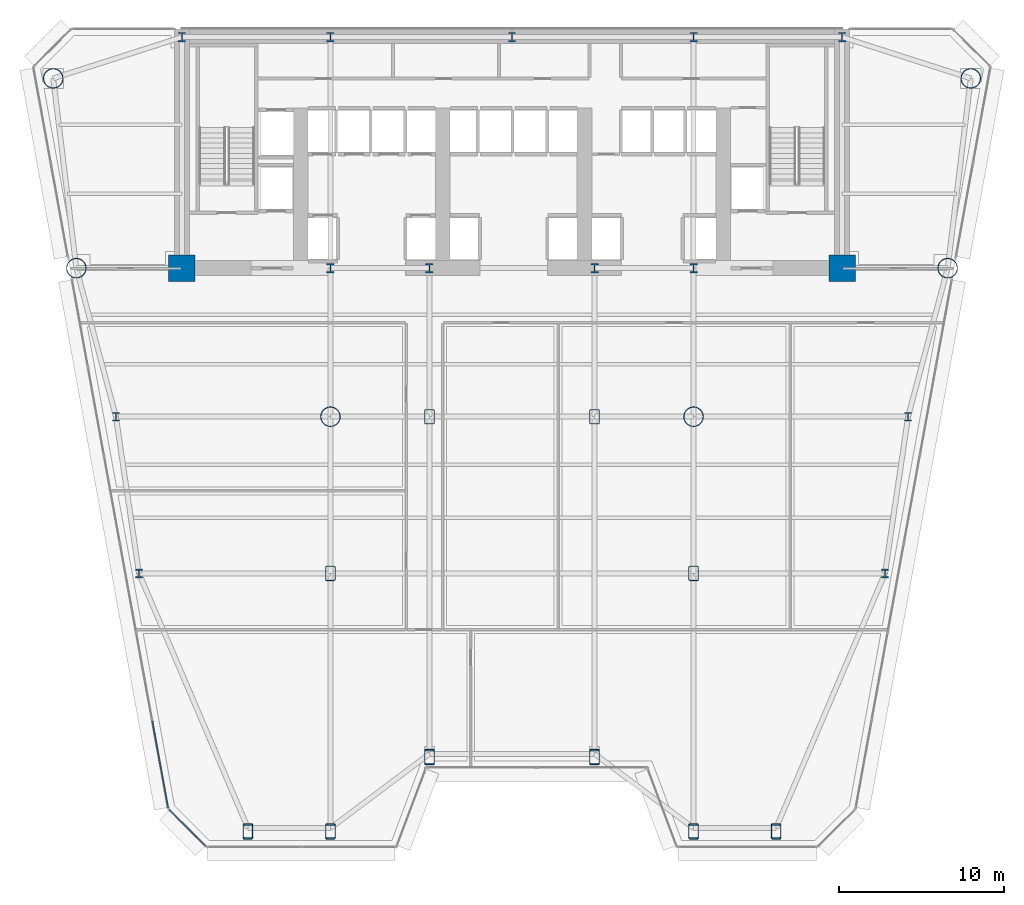
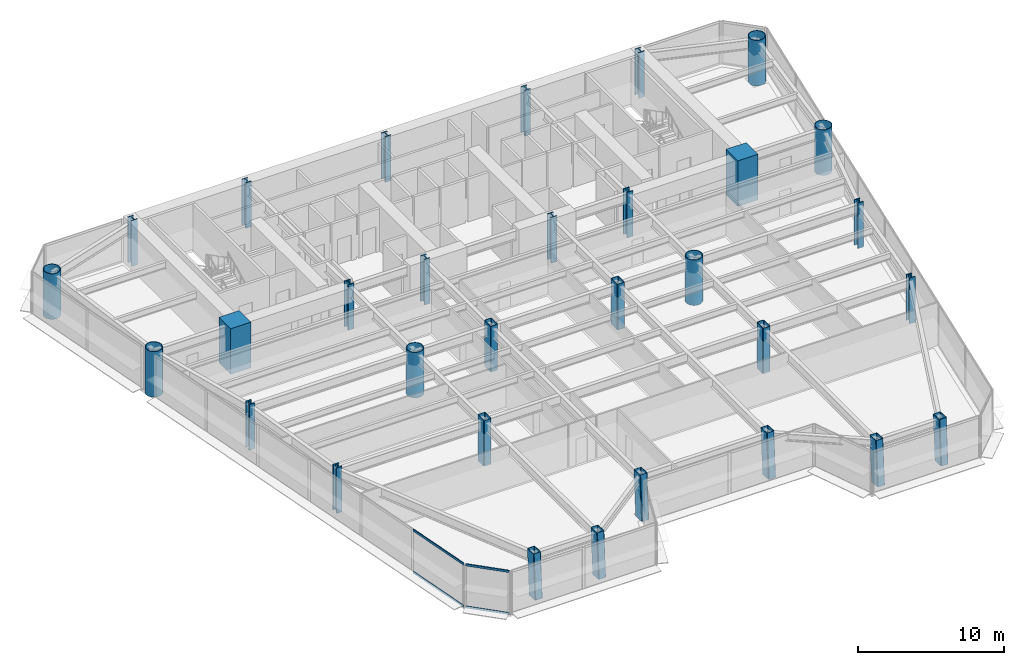
# One storey, part 1 of 14: 31 columns, 4 members, 2 elements without a shape of their own.
"""IFC4 building model written with IfcOpenShell, lengths in metres."""

from ifc_helpers import new_model, si_unit, direction, frame, origin, origin_2d, place, context, subcontext, project, spatial, rectangle, hollow_rectangle, hollow_circle, i_section, extrude, source, transform, mapped, material, layer, layer_set, material_profile, profile_set, type_object, element, aggregate, save


model = new_model("IFC4")

# Units and contexts
model_context = context("Model", 3, precision=1e-05, world=origin(), true_north=direction((0.0, 1.0)))
body_context = subcontext(model_context, "Body", "Model", "MODEL_VIEW")
ifc_project = project(units=[si_unit("LENGTHUNIT", "METRE"), si_unit("AREAUNIT", "SQUARE_METRE"), si_unit("VOLUMEUNIT", "CUBIC_METRE"), si_unit("PLANEANGLEUNIT", "RADIAN"), si_unit("MASSUNIT", "GRAM", prefix="KILO")], contexts=[model_context])

# Site, building, storey
site_placement = place(None, origin())
site = spatial("IfcSite", under=ifc_project, at=site_placement, CompositionType="ELEMENT")
building_placement = place(site_placement, origin())
building = spatial("IfcBuilding", under=site, at=building_placement, Name="Vaeldorn Concourse Tower", CompositionType="ELEMENT")
storey_placement = place(building_placement, frame((0.0, 0.0, 41.60009765625)))
storey = spatial("IfcBuildingStorey", under=building, at=storey_placement, Name="L10", CompositionType="ELEMENT", Elevation=41.60009765625)

# Columns
ifc_material_1 = material(Name="Concrete C60/75", Category="concrete")
ifc_material_profile_1 = material_profile(ifc_material_1, rectangle(XDim=1.60009765625, YDim=1.60009765625, at=origin_2d()), Name="RC 1600x1600")
ifc_profile_set_1 = profile_set([ifc_material_profile_1], Name="Concrete C60/75")
column_type_1 = type_object("IfcColumnType", Name="COL-RC1600", PredefinedType="COLUMN", material=ifc_profile_set_1)
shared_shape_1 = source(origin(), body_context, "Body", "SweptSolid", [
    extrude(rectangle(XDim=1.60009765625, YDim=1.60009765625, at=origin_2d()), origin(), (0.0, 0.0, 1.0), 3.7998046875),
])
for number, where, z_axis, x_axis, name in (
    (1, (14.0, 36.5, 0.0), (0.0, 0.0, 1.0), (1.0, 0.0, 0.0), "Column C-FC1 L10"),
    (2, (54.0, 36.5, 0.0), (0.0, 0.0, 1.0), (1.0, 0.0, 0.0), "Column C-FC6 L10"),
):
    element("IfcColumn", number, at=place(storey_placement, frame(where, z_axis=z_axis, x_axis=x_axis)), inside=storey, type_object=column_type_1, Name=name, PredefinedType="COLUMN", context=body_context, shape_type="MappedRepresentation", body=[
        mapped(shared_shape_1, transform((0.0, 0.0, 0.0), scale=1.0)),
    ])
ifc_material_2 = material(Name="Steel S460", Category="steel")
ifc_material_profile_2 = material_profile(ifc_material_2, i_section(OverallWidth=0.4541015625, OverallDepth=0.569091796875, WebThickness=0.077880859375, FlangeThickness=0.080078125, FilletRadius=0.014892578125, at=origin_2d()), Name="HD 400x1086")
ifc_profile_set_2 = profile_set([ifc_material_profile_2], Name="Steel S460")
column_type_2 = type_object("IfcColumnType", Name="COL-HD1086", PredefinedType="COLUMN", material=ifc_profile_set_2)
shared_shape_2 = source(origin(), body_context, "Body", "SweptSolid", [
    extrude(i_section(OverallWidth=0.4541015625, OverallDepth=0.569091796875, WebThickness=0.077880859375, FlangeThickness=0.080078125, FilletRadius=0.014892578125, at=origin_2d()), origin(), (0.0, 0.0, 1.0), 3.7998046875),
])
for number, where, z_axis, x_axis, name in (
    (3, (23.0, 36.5, 0.0), (0.0, 0.0, 1.0), (1.0, 0.0, 0.0), "Column C-FC2 L10"),
    (4, (29.0, 36.5, 0.0), (0.0, 0.0, 1.0), (1.0, 0.0, 0.0), "Column C-FC3 L10"),
    (5, (39.0, 36.5, 0.0), (0.0, 0.0, 1.0), (1.0, 0.0, 0.0), "Column C-FC4 L10"),
    (6, (45.0, 36.5, 0.0), (0.0, 0.0, 1.0), (1.0, 0.0, 0.0), "Column C-FC5 L10"),
    (7, (14.0, 50.5, 0.0), (0.0, 0.0, 1.0), (1.0, 0.0, 0.0), "Column C-HC1 L10"),
    (8, (23.0, 50.5, 0.0), (0.0, 0.0, 1.0), (1.0, 0.0, 0.0), "Column C-HC2 L10"),
    (9, (34.0, 50.5, 0.0), (0.0, 0.0, 1.0), (1.0, 0.0, 0.0), "Column C-HC3 L10"),
    (10, (45.0, 50.5, 0.0), (0.0, 0.0, 1.0), (1.0, 0.0, 0.0), "Column C-HC4 L10"),
    (11, (54.0, 50.5, 0.0), (0.0, 0.0, 1.0), (1.0, 0.0, 0.0), "Column C-HC5 L10"),
):
    element("IfcColumn", number, at=place(storey_placement, frame(where, z_axis=z_axis, x_axis=x_axis)), inside=storey, type_object=column_type_2, Name=name, PredefinedType="COLUMN", context=body_context, shape_type="MappedRepresentation", body=[
        mapped(shared_shape_2, transform((0.0, 0.0, 0.0), scale=1.0)),
    ])
ifc_material_profile_3 = material_profile(ifc_material_2, hollow_circle(Radius=0.609619140625, WallThickness=0.050048828125, at=origin_2d()), Name="CHS 1219x50")
ifc_profile_set_3 = profile_set([ifc_material_profile_3], Name="Steel S460")
column_type_3 = type_object("IfcColumnType", Name="COL-CHS1219", PredefinedType="COLUMN", material=ifc_profile_set_3)
shared_shape_3 = source(origin(), body_context, "Body", "SweptSolid", [
    extrude(hollow_circle(Radius=0.609619140625, WallThickness=0.050048828125, at=origin_2d()), origin(), (0.0, 0.0, 1.0), 3.7998046875),
])
for number, where, z_axis, x_axis, name in (
    (12, (6.199951171875, 48.0, 0.0), (0.0, 0.0, 1.0), (1.0, 0.0, 0.0), "Column C-NW1 L10"),
    (13, (7.60009765625, 36.5, 0.0), (0.0, 0.0, 1.0), (1.0, 0.0, 0.0), "Column C-NW2 L10"),
    (14, (61.800048828125, 48.0, 0.0), (0.0, 0.0, 1.0), (1.0, 0.0, 0.0), "Column C-NE1 L10"),
    (15, (60.39990234375, 36.5, 0.0), (0.0, 0.0, 1.0), (1.0, 0.0, 0.0), "Column C-NE2 L10"),
    (16, (23.0, 27.5, 0.0), (0.0, 0.0, 1.0), (1.0, 0.0, 0.0), "Column C-TW1 L10"),
    (17, (45.0, 27.5, 0.0), (0.0, 0.0, 1.0), (1.0, 0.0, 0.0), "Column C-TW4 L10"),
):
    element("IfcColumn", number, at=place(storey_placement, frame(where, z_axis=z_axis, x_axis=x_axis)), inside=storey, type_object=column_type_3, Name=name, PredefinedType="COLUMN", context=body_context, shape_type="MappedRepresentation", body=[
        mapped(shared_shape_3, transform((0.0, 0.0, 0.0), scale=1.0)),
    ])
ifc_material_profile_4 = material_profile(ifc_material_2, i_section(OverallWidth=0.44189453125, OverallDepth=0.531005859375, WebThickness=0.06494140625, FlangeThickness=0.075927734375, FilletRadius=0.014892578125, at=origin_2d()), Name="HD 400x900")
ifc_profile_set_4 = profile_set([ifc_material_profile_4], Name="Steel S460")
column_type_4 = type_object("IfcColumnType", Name="COL-HD900F", PredefinedType="COLUMN", material=ifc_profile_set_4)
shared_shape_4 = source(origin(), body_context, "Body", "SweptSolid", [
    extrude(i_section(OverallWidth=0.44189453125, OverallDepth=0.531005859375, WebThickness=0.06494140625, FlangeThickness=0.075927734375, FilletRadius=0.014892578125, at=origin_2d()), origin(), (0.0, 0.0, 1.0), 3.7998046875),
])
for number, where, z_axis, x_axis, name in (
    (18, (10.0, 27.5, 0.0), (0.0, 0.0, 1.0), (1.0, 0.0, 0.0), "Column C-FLW1 L10"),
    (19, (11.39990234375, 18.0, 0.0), (0.0, 0.0, 1.0), (1.0, 0.0, 0.0), "Column C-FLW2 L10"),
    (20, (58.0, 27.5, 0.0), (0.0, 0.0, 1.0), (1.0, 0.0, 0.0), "Column C-FLE1 L10"),
    (21, (56.60009765625, 18.0, 0.0), (0.0, 0.0, 1.0), (1.0, 0.0, 0.0), "Column C-FLE2 L10"),
):
    element("IfcColumn", number, at=place(storey_placement, frame(where, z_axis=z_axis, x_axis=x_axis)), inside=storey, type_object=column_type_4, Name=name, PredefinedType="COLUMN", context=body_context, shape_type="MappedRepresentation", body=[
        mapped(shared_shape_4, transform((0.0, 0.0, 0.0), scale=1.0)),
    ])
ifc_material_profile_5 = material_profile(ifc_material_2, hollow_rectangle(XDim=0.60009765625, YDim=0.89990234375, WallThickness=0.0400390625, InnerFilletRadius=0.0400390625, OuterFilletRadius=0.080078125, at=origin_2d()), Name="RHS 900x600x40")
ifc_profile_set_5 = profile_set([ifc_material_profile_5], Name="Steel S460")
column_type_5 = type_object("IfcColumnType", Name="COL-RHS900", PredefinedType="COLUMN", material=ifc_profile_set_5)
shared_shape_5 = source(origin(), body_context, "Body", "SweptSolid", [
    extrude(hollow_rectangle(XDim=0.60009765625, YDim=0.89990234375, WallThickness=0.0400390625, InnerFilletRadius=0.0400390625, OuterFilletRadius=0.080078125, at=origin_2d()), origin(), (0.0, 0.0, 1.0), 3.7998046875),
])
for number, where, z_axis, x_axis, name in (
    (22, (29.0, 27.5, 0.0), (0.0, 0.0, 1.0), (1.0, 0.0, 0.0), "Column C-TW2 L10"),
    (23, (39.0, 27.5, 0.0), (0.0, 0.0, 1.0), (1.0, 0.0, 0.0), "Column C-TW3 L10"),
    (24, (23.0, 18.0, 0.0), (0.0, 0.0, 1.0), (1.0, 0.0, 0.0), "Column C-TW5 L10"),
    (25, (45.0, 18.0, 0.0), (0.0, 0.0, 1.0), (1.0, 0.0, 0.0), "Column C-TW6 L10"),
):
    element("IfcColumn", number, at=place(storey_placement, frame(where, z_axis=z_axis, x_axis=x_axis)), inside=storey, type_object=column_type_5, Name=name, PredefinedType="COLUMN", context=body_context, shape_type="MappedRepresentation", body=[
        mapped(shared_shape_5, transform((0.0, 0.0, 0.0), scale=1.0)),
    ])
shared_shape_6 = source(origin(), body_context, "Body", "SweptSolid", [
    extrude(hollow_rectangle(XDim=0.60009765625, YDim=0.89990234375, WallThickness=0.0400390625, InnerFilletRadius=0.0400390625, OuterFilletRadius=0.080078125, at=origin_2d()), origin(), (0.0, 0.0, 1.0), 3.743408203125),
])
for number, where, z_axis, x_axis, name in (
    (26, (18.0, 2.33447265625, 0.031982421875), (0.0, 0.06384802516, 0.997959633293), (-1.0, 0.0, 0.0), "Column C-SF1 L10"),
    (27, (23.0, 2.33447265625, 0.031982421875), (0.0, 0.06384802516, 0.997959633293), (-1.0, 0.0, 0.0), "Column C-SF2 L10"),
    (28, (29.0, 6.83447265625, 0.031982421875), (0.0, 0.06384802516, 0.997959633293), (-1.0, 0.0, 0.0), "Column C-SF3 L10"),
    (29, (39.0, 6.83447265625, 0.031982421875), (0.0, 0.06384802516, 0.997959633293), (-1.0, 0.0, 0.0), "Column C-SF4 L10"),
    (30, (45.0, 2.33447265625, 0.031982421875), (0.0, 0.06384802516, 0.997959633293), (-1.0, 0.0, 0.0), "Column C-SF5 L10"),
    (31, (50.0, 2.33447265625, 0.031982421875), (0.0, 0.06384802516, 0.997959633293), (-1.0, 0.0, 0.0), "Column C-SF6 L10"),
):
    element("IfcColumn", number, at=place(storey_placement, frame(where, z_axis=z_axis, x_axis=x_axis)), inside=storey, type_object=column_type_5, Name=name, PredefinedType="COLUMN", context=body_context, shape_type="MappedRepresentation", body=[
        mapped(shared_shape_6, transform((0.0, 0.0, 0.0), scale=1.0)),
    ])

# Curtain wall, members
ifc_material_3 = material(Name="Anodised Bronze Aluminium", Category="aluminium")
ifc_layer = layer(ifc_material_3, 0.219970703125)
ifc_layer_set = layer_set([ifc_layer], Name="Anodised Bronze Aluminium")
curtain_wall_type = type_object("IfcCurtainWallType", Name="CW-SYS-01", PredefinedType="NOTDEFINED", material=ifc_layer_set)
curtain_wall_1_placement = place(storey_placement, origin())
curtain_wall_1 = element("IfcCurtainWall", 32, at=curtain_wall_1_placement, inside=storey, type_object=curtain_wall_type, Name="Unitised Curtain Wall CW-L10-E12-1", PredefinedType="NOTDEFINED")
ifc_material_profile_6 = material_profile(ifc_material_3, rectangle(XDim=0.074951171875, YDim=0.179931640625, at=origin_2d()), Name="CWT 75x180")
ifc_profile_set_6 = profile_set([ifc_material_profile_6], Name="Anodised Bronze Aluminium")
member_type = type_object("IfcMemberType", Name="CWT-BRONZE-180", PredefinedType="USERDEFINED", material=ifc_profile_set_6)
shared_shape_7 = source(origin(), body_context, "Body", "SweptSolid", [
    extrude(rectangle(XDim=0.074951171875, YDim=0.179931640625, at=origin_2d()), origin(), (0.0, 0.0, 1.0), 3.1025390625),
])
member_1_placement = place(storey_placement, frame((13.2314453125, 3.681396484375, 0.037353515625), z_axis=(0.707106781187, -0.707106781187, 0.0), x_axis=(0.707106781187, 0.707106781187, 0.0)))
member_1 = element("IfcMember", 33, at=member_1_placement, type_object=member_type, Name="CW-01 transom 1.1", ObjectType="TRANSOM", PredefinedType="USERDEFINED", context=body_context, shape_type="MappedRepresentation", body=[
    mapped(shared_shape_7, transform((0.0, 0.0, 0.0), scale=1.0)),
])
member_2_placement = place(storey_placement, frame((13.2314453125, 3.681396484375, 3.54248046875), z_axis=(0.707106781187, -0.707106781187, 0.0), x_axis=(0.707106781187, 0.707106781187, 0.0)))
member_2 = element("IfcMember", 34, at=member_2_placement, type_object=member_type, Name="CW-01 transom 1.2", ObjectType="TRANSOM", PredefinedType="USERDEFINED", context=body_context, shape_type="MappedRepresentation", body=[
    mapped(shared_shape_7, transform((0.0, 0.0, 0.0), scale=1.0)),
])
aggregate(curtain_wall_1, [member_1, member_2])

curtain_wall_2_placement = place(storey_placement, origin())
curtain_wall_2 = element("IfcCurtainWall", 35, at=curtain_wall_2_placement, inside=storey, type_object=curtain_wall_type, Name="Unitised Curtain Wall CW-L10-E11-2", PredefinedType="NOTDEFINED")
shared_shape_8 = source(origin(), body_context, "Body", "SweptSolid", [
    extrude(rectangle(XDim=0.074951171875, YDim=0.179931640625, at=origin_2d()), origin(), (0.0, 0.0, 1.0), 5.3330078125),
])
member_3_placement = place(storey_placement, frame((12.21044921875, 9.05517578125, 0.037353515625), z_axis=(0.17895392461, -0.983857455563, 0.0), x_axis=(0.983857455563, 0.17895392461, 0.0)))
member_3 = element("IfcMember", 36, at=member_3_placement, type_object=member_type, Name="CW-01 transom 6.1", ObjectType="TRANSOM", PredefinedType="USERDEFINED", context=body_context, shape_type="MappedRepresentation", body=[
    mapped(shared_shape_8, transform((0.0, 0.0, 0.0), scale=1.0)),
])
member_4_placement = place(storey_placement, frame((12.21044921875, 9.05517578125, 3.54248046875), z_axis=(0.17895392461, -0.983857455563, 0.0), x_axis=(0.983857455563, 0.17895392461, 0.0)))
member_4 = element("IfcMember", 37, at=member_4_placement, type_object=member_type, Name="CW-01 transom 6.2", ObjectType="TRANSOM", PredefinedType="USERDEFINED", context=body_context, shape_type="MappedRepresentation", body=[
    mapped(shared_shape_8, transform((0.0, 0.0, 0.0), scale=1.0)),
])
aggregate(curtain_wall_2, [member_3, member_4])

save(model, "model.ifc")
